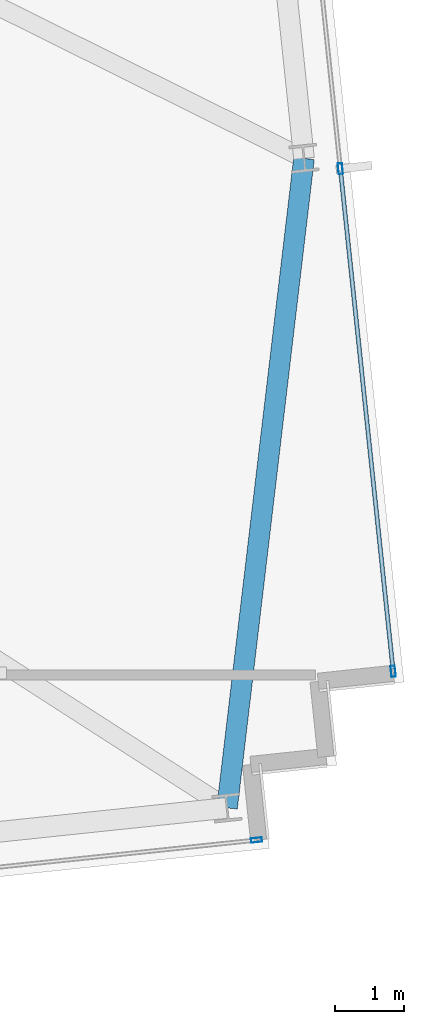
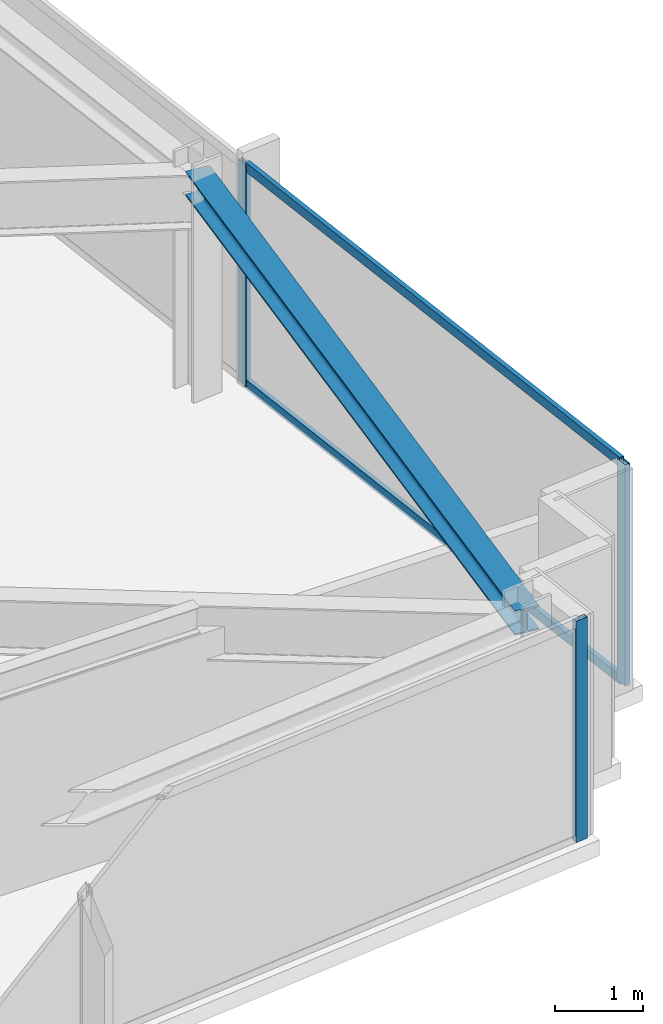
# One storey, part 17 of 32: 5 members, 1 beam, 2 elements without a shape of their own.
"""IFC4 building model written with IfcOpenShell, lengths in metres."""

from ifc_helpers import new_model, si_unit, direction, frame, origin, origin_2d, place, context, subcontext, project, spatial, hollow_rectangle, i_section, extrude, material, material_profile, profile_set, type_object, element, aggregate, save


model = new_model("IFC4")

# Units and contexts
model_context = context("Model", 3, precision=1e-05, world=origin(), true_north=direction((0.0, 1.0)))
body_context = subcontext(model_context, "Body", "Model", "MODEL_VIEW")
ifc_project = project(units=[si_unit("LENGTHUNIT", "METRE"), si_unit("AREAUNIT", "SQUARE_METRE"), si_unit("VOLUMEUNIT", "CUBIC_METRE"), si_unit("PLANEANGLEUNIT", "RADIAN"), si_unit("MASSUNIT", "GRAM", prefix="KILO")], contexts=[model_context])

# Site, building, storey
site_placement = place(None, origin())
site = spatial("IfcSite", under=ifc_project, at=site_placement, CompositionType="ELEMENT")
building_placement = place(site_placement, origin())
building = spatial("IfcBuilding", under=site, at=building_placement, Name="Yelkora Congress Tower", CompositionType="ELEMENT")
storey_placement = place(building_placement, frame((0.0, 0.0, 211.10009765625)))
storey = spatial("IfcBuildingStorey", under=building, at=storey_placement, Name="L58", CompositionType="ELEMENT", Elevation=211.10009765625)

# Beam
ifc_material_1 = material(Name="Steel S355J2", Category="steel")
ifc_material_profile_1 = material_profile(ifc_material_1, i_section(OverallWidth=0.300048828125, OverallDepth=0.340087890625, WebThickness=0.011962890625, FlangeThickness=0.021484375, FilletRadius=0.027099609375, at=origin_2d()), Name="HEB 340")
ifc_profile_set_1 = profile_set([ifc_material_profile_1], Name="Steel S355J2")
beam_type = type_object("IfcBeamType", Name="BM-SPAN-HEB340", PredefinedType="SPANDREL", material=ifc_profile_set_1)
beam_placement = place(storey_placement, frame((69.235107421875, 17.716796875, 2.909912109375), z_axis=(0.11765897357, 0.993054059928, 0.0), x_axis=(-0.993054059928, 0.11765897357, 0.0)))
element("IfcBeam", 1, at=beam_placement, inside=storey, type_object=beam_type, Name="L58 Perimeter Beam 9", PredefinedType="SPANDREL", context=body_context, shape_type="SweptSolid", body=[
    extrude(i_section(OverallWidth=0.300048828125, OverallDepth=0.340087890625, WebThickness=0.011962890625, FlangeThickness=0.021484375, FilletRadius=0.027099609375, at=origin_2d()), origin(), (0.0, 0.0, 1.0), 9.509765625),
])

# Curtain wall, members
ifc_material_2 = material(Name="Anodised aluminium and insulated glass", Category="aluminium")
curtain_wall_type = type_object("IfcCurtainWallType", Name="CW-SYS-B4", PredefinedType="NOTDEFINED", material=ifc_material_2)
curtain_wall_1_placement = place(storey_placement, origin())
curtain_wall_1 = element("IfcCurtainWall", 2, at=curtain_wall_1_placement, inside=storey, type_object=curtain_wall_type, Name="L58 Unitised Curtain Wall 15", PredefinedType="NOTDEFINED")
ifc_material_3 = material(Name="Anodised aluminium 6063-T6", Category="aluminium")
ifc_material_profile_2 = material_profile(ifc_material_3, hollow_rectangle(XDim=0.06494140625, YDim=0.159912109375, WallThickness=0.00390625, at=origin_2d()), Name="ALU 65x160x4")
ifc_profile_set_2 = profile_set([ifc_material_profile_2], Name="Anodised aluminium 6063-T6")
member_type_1 = type_object("IfcMemberType", Name="MEM-ML-B4", PredefinedType="MULLION", material=ifc_profile_set_2)
member_1_placement = place(storey_placement, frame((70.882568359375, 27.009765625, 0.0), z_axis=(0.0, 0.0, 1.0), x_axis=(0.994522182968, 0.104525726898, 0.0)))
member_1 = element("IfcMember", 3, at=member_1_placement, type_object=member_type_1, Name="CW-B4 mullion 4", PredefinedType="MULLION", context=body_context, shape_type="SweptSolid", body=[
    extrude(hollow_rectangle(XDim=0.06494140625, YDim=0.159912109375, WallThickness=0.00390625, at=origin_2d()), origin(), (0.0, 0.0, 1.0), 3.079833984375),
])
member_2_placement = place(storey_placement, frame((71.650634765625, 19.70263671875, 0.0), z_axis=(0.0, 0.0, 1.0), x_axis=(0.994522182968, 0.104525726898, 0.0)))
member_2 = element("IfcMember", 4, at=member_2_placement, type_object=member_type_1, Name="CW-B4 mullion 5", PredefinedType="MULLION", context=body_context, shape_type="SweptSolid", body=[
    extrude(hollow_rectangle(XDim=0.06494140625, YDim=0.159912109375, WallThickness=0.00390625, at=origin_2d()), origin(), (0.0, 0.0, 1.0), 3.079833984375),
])

# Curtain wall, member
curtain_wall_2_placement = place(storey_placement, origin())
curtain_wall_2 = element("IfcCurtainWall", 5, at=curtain_wall_2_placement, inside=storey, type_object=curtain_wall_type, Name="L58 Unitised Curtain Wall 20", PredefinedType="NOTDEFINED")
member_3_placement = place(storey_placement, frame((69.663818359375, 17.2490234375, 0.0), z_axis=(0.0, 0.0, 1.0), x_axis=(0.104526664994, -0.994522084373, 0.0)))
member_3 = element("IfcMember", 6, at=member_3_placement, type_object=member_type_1, Name="CW-B4 mullion 1", PredefinedType="MULLION", context=body_context, shape_type="SweptSolid", body=[
    extrude(hollow_rectangle(XDim=0.06494140625, YDim=0.159912109375, WallThickness=0.00390625, at=origin_2d()), origin(), (0.0, 0.0, 1.0), 3.079833984375),
])
aggregate(curtain_wall_2, [member_3])

# Member
ifc_material_profile_3 = material_profile(ifc_material_3, hollow_rectangle(XDim=0.06005859375, YDim=0.1298828125, WallThickness=0.00390625, at=origin_2d()), Name="ALU 60x130x4")
ifc_profile_set_3 = profile_set([ifc_material_profile_3], Name="Anodised aluminium 6063-T6")
member_type_2 = type_object("IfcMemberType", Name="MEM-TR-B4", PredefinedType="USERDEFINED", material=ifc_profile_set_3)
member_4_placement = place(storey_placement, frame((70.885986328125, 26.9775390625, 0.02978515625), z_axis=(0.104527725728, -0.994521972886, 0.0), x_axis=(0.994521972886, 0.104527725728, 0.0)))
member_4 = element("IfcMember", 7, at=member_4_placement, type_object=member_type_2, Name="CW-B4 transom 4.1", ObjectType="TRANSOM", PredefinedType="USERDEFINED", context=body_context, shape_type="SweptSolid", body=[
    extrude(hollow_rectangle(XDim=0.06005859375, YDim=0.1298828125, WallThickness=0.00390625, at=origin_2d()), origin(), (0.0, 0.0, 1.0), 7.282470703125),
])

member_5_placement = place(storey_placement, frame((70.885986328125, 26.9775390625, 3.0498046875), z_axis=(0.104527725728, -0.994521972886, 0.0), x_axis=(0.994521972886, 0.104527725728, 0.0)))
member_5 = element("IfcMember", 8, at=member_5_placement, type_object=member_type_2, Name="CW-B4 transom 4.2", ObjectType="TRANSOM", PredefinedType="USERDEFINED", context=body_context, shape_type="SweptSolid", body=[
    extrude(hollow_rectangle(XDim=0.06005859375, YDim=0.1298828125, WallThickness=0.00390625, at=origin_2d()), origin(), (0.0, 0.0, 1.0), 7.282470703125),
])

aggregate(curtain_wall_1, [member_1, member_2, member_4, member_5])

save(model, "model.ifc")
